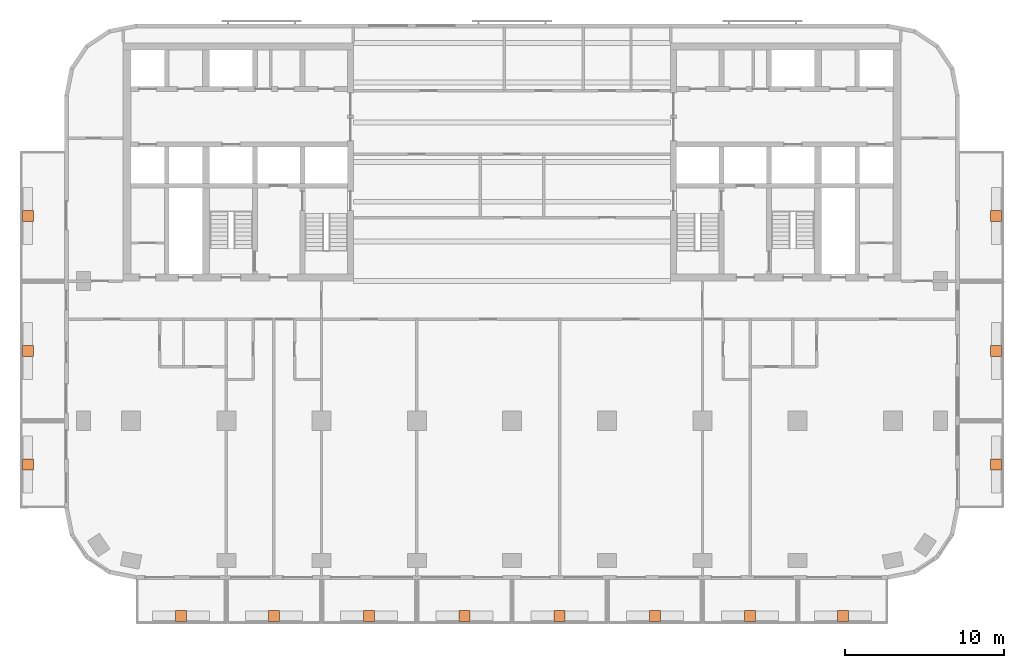
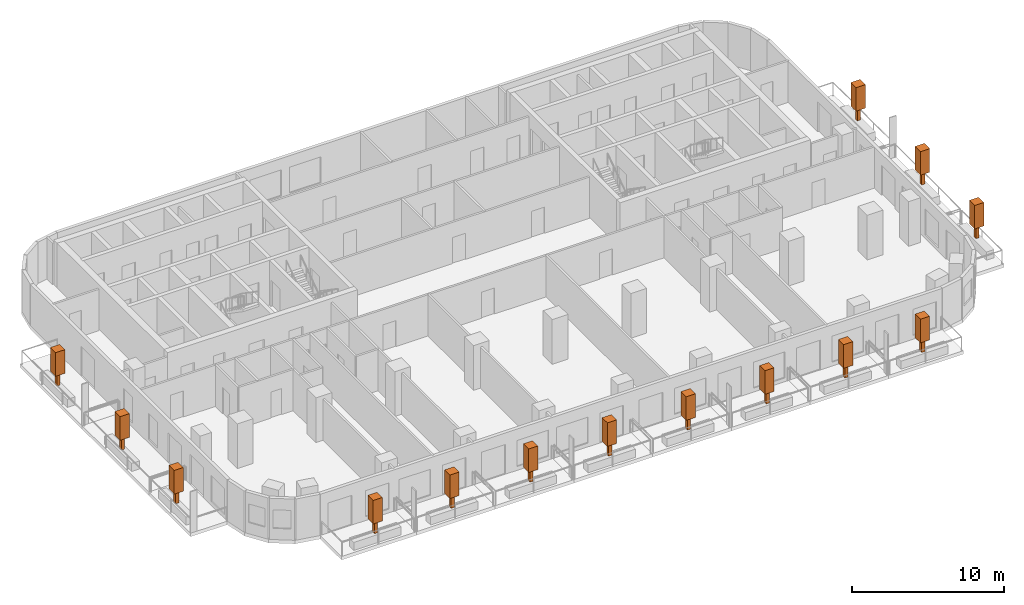
# One storey, part 11 of 11: 14 geographic elements.
"""IFC4 building model written with IfcOpenShell, lengths in metres."""

from ifc_helpers import new_model, si_unit, direction, frame, origin, origin_2d, place, context, subcontext, project, spatial, rectangle, extrude, material, element, save


model = new_model("IFC4")

# Units and contexts
model_context = context("Model", 3, precision=1e-05, world=origin(), true_north=direction((0.0, 1.0)))
body_context = subcontext(model_context, "Body", "Model", "MODEL_VIEW")
ifc_project = project(units=[si_unit("LENGTHUNIT", "METRE"), si_unit("AREAUNIT", "SQUARE_METRE"), si_unit("VOLUMEUNIT", "CUBIC_METRE"), si_unit("PLANEANGLEUNIT", "RADIAN"), si_unit("MASSUNIT", "GRAM", prefix="KILO")], contexts=[model_context])

# Site, building, storey
site_placement = place(None, origin())
site = spatial("IfcSite", under=ifc_project, at=site_placement, CompositionType="ELEMENT")
building_placement = place(site_placement, origin())
building = spatial("IfcBuilding", under=site, at=building_placement, Name="Torana Hotel and Residences", CompositionType="ELEMENT")
storey_placement = place(building_placement, frame((0.0, 0.0, 138.0)))
storey = spatial("IfcBuildingStorey", under=building, at=storey_placement, Name="L35", CompositionType="ELEMENT", Elevation=138.0)

# Geographic elements
ifc_material = material(Name="Foliage", Category="planting")
for number, where, z_axis, x_axis, name in (
    (1, (-20.85009765625, -36.10009765625, 0.64990234375), (0.0, 0.0, 1.0), (1.0, 0.0, 0.0), "Tree 01"),
    (2, (-15.0, -36.10009765625, 0.64990234375), (0.0, 0.0, 1.0), (1.0, 0.0, 0.0), "Tree 02"),
    (3, (-9.0, -36.10009765625, 0.64990234375), (0.0, 0.0, 1.0), (1.0, 0.0, 0.0), "Tree 03"),
    (4, (-3.0, -36.10009765625, 0.64990234375), (0.0, 0.0, 1.0), (1.0, 0.0, 0.0), "Tree 04"),
    (5, (3.0, -36.10009765625, 0.64990234375), (0.0, 0.0, 1.0), (1.0, 0.0, 0.0), "Tree 05"),
    (6, (9.0, -36.10009765625, 0.64990234375), (0.0, 0.0, 1.0), (1.0, 0.0, 0.0), "Tree 06"),
    (7, (15.0, -36.10009765625, 0.64990234375), (0.0, 0.0, 1.0), (1.0, 0.0, 0.0), "Tree 07"),
    (8, (20.85009765625, -36.10009765625, 0.64990234375), (0.0, 0.0, 1.0), (1.0, 0.0, 0.0), "Tree 08"),
    (9, (-30.5, -26.550048828125, 0.64990234375), (0.0, 0.0, 1.0), (1.0, 0.0, 0.0), "Tree 09"),
    (10, (-30.5, -19.39990234375, 0.64990234375), (0.0, 0.0, 1.0), (1.0, 0.0, 0.0), "Tree 10"),
    (11, (-30.5, -10.89990234375, 0.64990234375), (0.0, 0.0, 1.0), (1.0, 0.0, 0.0), "Tree 11"),
    (12, (30.5, -26.550048828125, 0.64990234375), (0.0, 0.0, 1.0), (1.0, 0.0, 0.0), "Tree 12"),
    (13, (30.5, -19.39990234375, 0.64990234375), (0.0, 0.0, 1.0), (1.0, 0.0, 0.0), "Tree 13"),
    (14, (30.5, -10.89990234375, 0.64990234375), (0.0, 0.0, 1.0), (1.0, 0.0, 0.0), "Tree 14"),
):
    element("IfcGeographicElement", number, at=place(storey_placement, frame(where, z_axis=z_axis, x_axis=x_axis)), inside=storey, material=ifc_material, Name=name, ObjectType="TREE", PredefinedType="USERDEFINED", context=body_context, shape_type="SweptSolid", body=[
        extrude(rectangle(XDim=0.25, YDim=0.25, at=origin_2d()), origin(), (0.0, 0.0, 1.0), 1.0),
        extrude(rectangle(XDim=0.699951171875, YDim=0.699951171875, at=origin_2d()), frame((0.0, 0.0, 1.000244140625)), (0.0, 0.0, 1.0), 1.89990234375),
    ])

save(model, "model.ifc")
